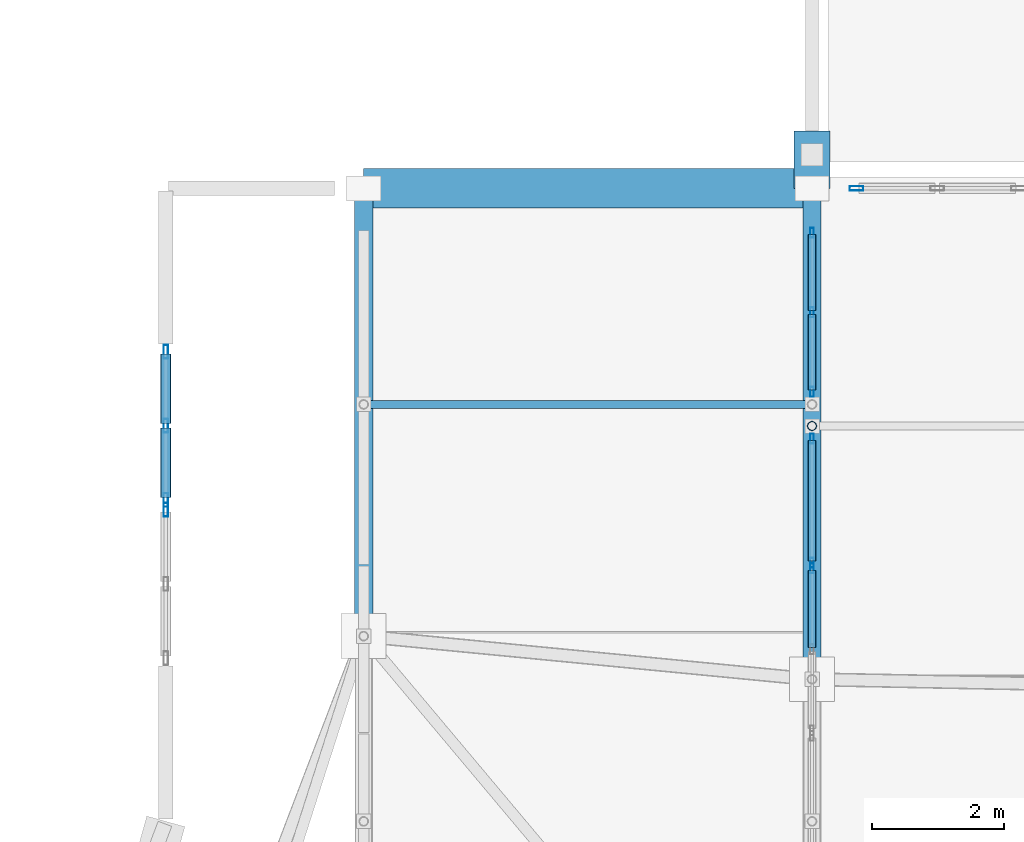
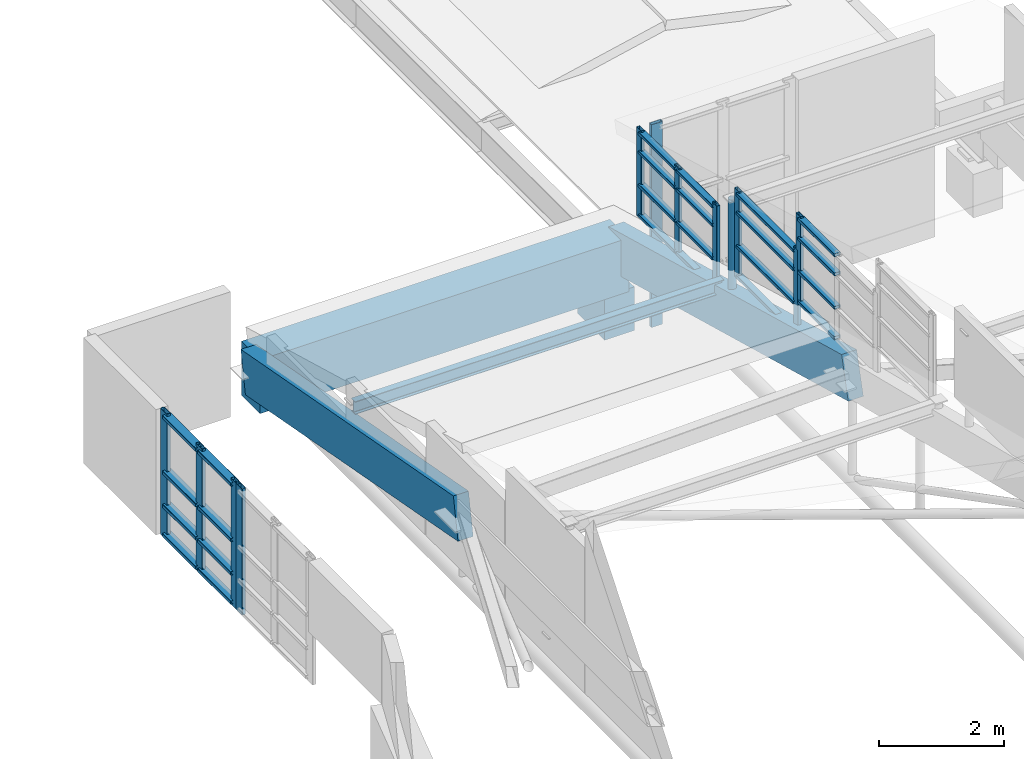
# One storey, part 58 of 188: 39 members, 2 beams, 6 elements without a shape of their own.
"""IFC4 building model written with IfcOpenShell, lengths in metres."""

from ifc_helpers import new_model, si_unit, direction, frame, origin, origin_2d, place, context, subcontext, project, spatial, rectangle, hollow_rectangle, hollow_circle, i_section, extrude, material, layer, layer_set, material_profile, profile_set, type_object, element, aggregate, save


model = new_model("IFC4")

# Units and contexts
model_context = context("Model", 3, precision=1e-05, world=origin(), true_north=direction((0.0, 1.0)))
body_context = subcontext(model_context, "Body", "Model", "MODEL_VIEW")
ifc_project = project(units=[si_unit("LENGTHUNIT", "METRE"), si_unit("AREAUNIT", "SQUARE_METRE"), si_unit("VOLUMEUNIT", "CUBIC_METRE"), si_unit("PLANEANGLEUNIT", "RADIAN"), si_unit("MASSUNIT", "GRAM", prefix="KILO")], contexts=[model_context])

# Site, building, storey
site_placement = place(None, origin())
site = spatial("IfcSite", under=ifc_project, at=site_placement, CompositionType="ELEMENT")
building_placement = place(site_placement, origin())
building = spatial("IfcBuilding", under=site, at=building_placement, Name="Kisaragi Civic Commons", CompositionType="ELEMENT")
storey_placement = place(building_placement, frame((0.0, 0.0, 9.60009765625)))
storey = spatial("IfcBuildingStorey", under=building, at=storey_placement, Name="L02", CompositionType="ELEMENT", Elevation=9.60009765625)

# Beam
ifc_material_1 = material(Name="Concrete Fc36", Category="concrete")
ifc_material_profile_1 = material_profile(ifc_material_1, rectangle(XDim=0.550048828125, YDim=0.85009765625, at=origin_2d()), Name="RC-550x850", Category="concrete")
ifc_profile_set_1 = profile_set([ifc_material_profile_1], Name="Concrete Fc36")
beam_type_1 = type_object("IfcBeamType", Name="CB-01", PredefinedType="BEAM", material=ifc_profile_set_1)
beam_1_placement = place(storey_placement, frame((13.60009765625, 62.39990234375, -1.97998046875), z_axis=(0.0, 1.0, 0.0), x_axis=(-1.0, 0.0, 0.0)))
element("IfcBeam", 1, at=beam_1_placement, inside=storey, type_object=beam_type_1, Name="BR-V2-V1 L02 seismic corbel 80", PredefinedType="BEAM", context=body_context, shape_type="SweptSolid", body=[
    extrude(rectangle(XDim=0.550048828125, YDim=0.85009765625, at=origin_2d()), origin(), (0.0, 0.0, 1.0), 0.8701171875),
])

# Curtain wall, member
ifc_material_2 = material(Name="Thermally broken anodized aluminium and low-E double glazing", Category="aluminium")
ifc_layer_1 = layer(ifc_material_2, 0.14990234375, Name="Thermally broken anodized aluminium and low-E double glazing", Category="aluminium")
ifc_layer_set_1 = layer_set([ifc_layer_1], Name="Thermally broken anodized aluminium and low-E double glazing")
curtain_wall_type_1 = type_object("IfcCurtainWallType", Name="CW-03", PredefinedType="NOTDEFINED", material=ifc_layer_set_1)
curtain_wall_1_placement = place(storey_placement, origin())
curtain_wall_1 = element("IfcCurtainWall", 2, at=curtain_wall_1_placement, inside=storey, type_object=curtain_wall_type_1, Name="L02 curtain wall CW-03 CW-CL-V1-150", PredefinedType="NOTDEFINED")
ifc_material_profile_2 = material_profile(ifc_material_2, hollow_rectangle(XDim=0.06005859375, YDim=0.14990234375, WallThickness=0.00390625, InnerFilletRadius=0.00390625, OuterFilletRadius=0.008056640625, at=origin_2d()), Name="CWM-60x150x4", Category="aluminium")
ifc_profile_set_2 = profile_set([ifc_material_profile_2], Name="Thermally broken anodized aluminium and low-E double glazing")
member_type_1 = type_object("IfcMemberType", Name="CWM-01", PredefinedType="MULLION", material=ifc_profile_set_2)
member_1_placement = place(storey_placement, frame((13.60009765625, 56.638916015625, 1.718017578125), z_axis=(0.0, 0.0, 1.0), x_axis=(-1.0, 0.0, 0.0)))
member_1 = element("IfcMember", 3, at=member_1_placement, type_object=member_type_1, Name="CW-03 mullion 3", PredefinedType="MULLION", context=body_context, shape_type="SweptSolid", body=[
    extrude(hollow_rectangle(XDim=0.06005859375, YDim=0.14990234375, WallThickness=0.00390625, InnerFilletRadius=0.00390625, OuterFilletRadius=0.008056640625, at=origin_2d()), origin(), (0.0, 0.0, 1.0), 1.732421875),
])

# Curtain wall, members
curtain_wall_2_placement = place(storey_placement, origin())
curtain_wall_2 = element("IfcCurtainWall", 4, at=curtain_wall_2_placement, inside=storey, type_object=curtain_wall_type_1, Name="L02 curtain wall CW-03 CW-CL-V1-151", PredefinedType="NOTDEFINED")
member_2_placement = place(storey_placement, frame((13.60009765625, 56.722900390625, 1.01953125), z_axis=(0.0, 0.0, 1.0), x_axis=(-1.0, 0.0, 0.0)))
member_2 = element("IfcMember", 5, at=member_2_placement, type_object=member_type_1, Name="CW-03 mullion 1", PredefinedType="MULLION", context=body_context, shape_type="SweptSolid", body=[
    extrude(hollow_rectangle(XDim=0.06005859375, YDim=0.14990234375, WallThickness=0.00390625, InnerFilletRadius=0.00390625, OuterFilletRadius=0.008056640625, at=origin_2d()), origin(), (0.0, 0.0, 1.0), 1.725341796875),
])
member_3_placement = place(storey_placement, frame((13.60009765625, 58.606201171875, 1.01953125), z_axis=(0.0, 0.0, 1.0), x_axis=(-1.0, 0.0, 0.0)))
member_3 = element("IfcMember", 6, at=member_3_placement, type_object=member_type_1, Name="CW-03 mullion 2", PredefinedType="MULLION", context=body_context, shape_type="SweptSolid", body=[
    extrude(hollow_rectangle(XDim=0.06005859375, YDim=0.14990234375, WallThickness=0.00390625, InnerFilletRadius=0.00390625, OuterFilletRadius=0.008056640625, at=origin_2d()), origin(), (0.0, 0.0, 1.0), 1.725341796875),
])

curtain_wall_3_placement = place(storey_placement, origin())
curtain_wall_3 = element("IfcCurtainWall", 7, at=curtain_wall_3_placement, inside=storey, type_object=curtain_wall_type_1, Name="L02 curtain wall CW-03 CW-CL-V1-152", PredefinedType="NOTDEFINED")
member_4_placement = place(storey_placement, frame((13.60009765625, 59.3134765625, 0.313720703125), z_axis=(0.0, 0.0, 1.0), x_axis=(-1.0, 0.0, 0.0)))
member_4 = element("IfcMember", 8, at=member_4_placement, type_object=member_type_1, Name="CW-03 mullion 1", PredefinedType="MULLION", context=body_context, shape_type="SweptSolid", body=[
    extrude(hollow_rectangle(XDim=0.06005859375, YDim=0.14990234375, WallThickness=0.00390625, InnerFilletRadius=0.00390625, OuterFilletRadius=0.008056640625, at=origin_2d()), origin(), (0.0, 0.0, 1.0), 1.7255859375),
])
member_5_placement = place(storey_placement, frame((13.60009765625, 60.520751953125, 0.313720703125), z_axis=(0.0, 0.0, 1.0), x_axis=(-1.0, 0.0, 0.0)))
member_5 = element("IfcMember", 9, at=member_5_placement, type_object=member_type_1, Name="CW-03 mullion 2", PredefinedType="MULLION", context=body_context, shape_type="SweptSolid", body=[
    extrude(hollow_rectangle(XDim=0.06005859375, YDim=0.14990234375, WallThickness=0.00390625, InnerFilletRadius=0.00390625, OuterFilletRadius=0.008056640625, at=origin_2d()), origin(), (0.0, 0.0, 1.0), 1.7255859375),
])
member_6_placement = place(storey_placement, frame((13.60009765625, 61.72802734375, 0.313720703125), z_axis=(0.0, 0.0, 1.0), x_axis=(-1.0, 0.0, 0.0)))
member_6 = element("IfcMember", 10, at=member_6_placement, type_object=member_type_1, Name="CW-03 mullion 3", PredefinedType="MULLION", context=body_context, shape_type="SweptSolid", body=[
    extrude(hollow_rectangle(XDim=0.06005859375, YDim=0.14990234375, WallThickness=0.00390625, InnerFilletRadius=0.00390625, OuterFilletRadius=0.008056640625, at=origin_2d()), origin(), (0.0, 0.0, 1.0), 1.7255859375),
])

# Curtain wall, member
ifc_layer_2 = layer(ifc_material_2, 0.2099609375, Name="Thermally broken anodized aluminium and low-E double glazing", Category="aluminium")
ifc_layer_set_2 = layer_set([ifc_layer_2], Name="Thermally broken anodized aluminium and low-E double glazing")
curtain_wall_type_2 = type_object("IfcCurtainWallType", Name="CW-02", PredefinedType="NOTDEFINED", material=ifc_layer_set_2)
curtain_wall_4_placement = place(storey_placement, origin())
curtain_wall_4 = element("IfcCurtainWall", 11, at=curtain_wall_4_placement, inside=storey, type_object=curtain_wall_type_2, Name="L02 curtain wall CW-02 CW-GAB-V1-172", PredefinedType="NOTDEFINED")
ifc_material_profile_3 = material_profile(ifc_material_2, hollow_rectangle(XDim=0.070068359375, YDim=0.2099609375, WallThickness=0.0048828125, InnerFilletRadius=0.0048828125, OuterFilletRadius=0.010009765625, at=origin_2d()), Name="CWM-70x210x5", Category="aluminium")
ifc_profile_set_3 = profile_set([ifc_material_profile_3], Name="Thermally broken anodized aluminium and low-E double glazing")
member_type_2 = type_object("IfcMemberType", Name="CWM-03", PredefinedType="MULLION", material=ifc_profile_set_3)
member_7_placement = place(storey_placement, frame((3.800048828125, 57.52490234375, -1.399169921875), z_axis=(0.0, 0.0, 1.0), x_axis=(-1.0, 0.0, 0.0)))
member_7 = element("IfcMember", 12, at=member_7_placement, type_object=member_type_2, Name="CW-02 mullion 3", PredefinedType="MULLION", context=body_context, shape_type="SweptSolid", body=[
    extrude(hollow_rectangle(XDim=0.070068359375, YDim=0.2099609375, WallThickness=0.0048828125, InnerFilletRadius=0.0048828125, OuterFilletRadius=0.010009765625, at=origin_2d()), origin(), (0.0, 0.0, 1.0), 2.461181640625),
])
aggregate(curtain_wall_4, [member_7])

# Curtain wall, members
curtain_wall_5_placement = place(storey_placement, origin())
curtain_wall_5 = element("IfcCurtainWall", 13, at=curtain_wall_5_placement, inside=storey, type_object=curtain_wall_type_2, Name="L02 curtain wall CW-02 CW-GAB-V1-173", PredefinedType="NOTDEFINED")
member_8_placement = place(storey_placement, frame((3.800048828125, 57.675048828125, -1.399169921875), z_axis=(0.0, 0.0, 1.0), x_axis=(-1.0, 0.0, 0.0)))
member_8 = element("IfcMember", 14, at=member_8_placement, type_object=member_type_2, Name="CW-02 mullion 1", PredefinedType="MULLION", context=body_context, shape_type="SweptSolid", body=[
    extrude(hollow_rectangle(XDim=0.070068359375, YDim=0.2099609375, WallThickness=0.0048828125, InnerFilletRadius=0.0048828125, OuterFilletRadius=0.010009765625, at=origin_2d()), origin(), (0.0, 0.0, 1.0), 2.461181640625),
])
member_9_placement = place(storey_placement, frame((3.800048828125, 58.800048828125, -1.399169921875), z_axis=(0.0, 0.0, 1.0), x_axis=(-1.0, 0.0, 0.0)))
member_9 = element("IfcMember", 15, at=member_9_placement, type_object=member_type_2, Name="CW-02 mullion 2", PredefinedType="MULLION", context=body_context, shape_type="SweptSolid", body=[
    extrude(hollow_rectangle(XDim=0.070068359375, YDim=0.2099609375, WallThickness=0.0048828125, InnerFilletRadius=0.0048828125, OuterFilletRadius=0.010009765625, at=origin_2d()), origin(), (0.0, 0.0, 1.0), 2.461181640625),
])
member_10_placement = place(storey_placement, frame((3.800048828125, 59.925048828125, -1.399169921875), z_axis=(0.0, 0.0, 1.0), x_axis=(-1.0, 0.0, 0.0)))
member_10 = element("IfcMember", 16, at=member_10_placement, type_object=member_type_2, Name="CW-02 mullion 3", PredefinedType="MULLION", context=body_context, shape_type="SweptSolid", body=[
    extrude(hollow_rectangle(XDim=0.070068359375, YDim=0.2099609375, WallThickness=0.0048828125, InnerFilletRadius=0.0048828125, OuterFilletRadius=0.010009765625, at=origin_2d()), origin(), (0.0, 0.0, 1.0), 2.461181640625),
])

# Curtain wall, member
curtain_wall_6_placement = place(storey_placement, origin())
curtain_wall_6 = element("IfcCurtainWall", 17, at=curtain_wall_6_placement, inside=storey, type_object=curtain_wall_type_2, Name="L02 curtain wall CW-02 CW-GAB-V1-174", PredefinedType="NOTDEFINED")
member_11_placement = place(storey_placement, frame((14.27490234375, 62.39990234375, -2.43408203125), z_axis=(0.0, 0.0, 1.0), x_axis=(0.0, 1.0, 0.0)))
member_11 = element("IfcMember", 18, at=member_11_placement, type_object=member_type_2, Name="CW-02 mullion 1", PredefinedType="MULLION", context=body_context, shape_type="SweptSolid", body=[
    extrude(hollow_rectangle(XDim=0.070068359375, YDim=0.2099609375, WallThickness=0.0048828125, InnerFilletRadius=0.0048828125, OuterFilletRadius=0.010009765625, at=origin_2d()), origin(), (0.0, 0.0, 1.0), 3.95263671875),
])
aggregate(curtain_wall_6, [member_11])

# Member
ifc_material_profile_4 = material_profile(ifc_material_2, hollow_rectangle(XDim=0.1201171875, YDim=0.06005859375, WallThickness=0.00390625, InnerFilletRadius=0.00390625, OuterFilletRadius=0.008056640625, at=origin_2d()), Name="CWT-60x120x4", Category="aluminium")
ifc_profile_set_4 = profile_set([ifc_material_profile_4], Name="Thermally broken anodized aluminium and low-E double glazing")
member_type_3 = type_object("IfcMemberType", Name="CWT-01", PredefinedType="USERDEFINED", material=ifc_profile_set_4)
member_12_placement = place(storey_placement, frame((13.60009765625, 55.438720703125, 1.77783203125), z_axis=(0.0, 1.0, 0.0), x_axis=(-1.0, 0.0, 0.0)))
member_12 = element("IfcMember", 19, at=member_12_placement, type_object=member_type_3, Name="CW-03 transom 2.1", ObjectType="TRANSOM", PredefinedType="USERDEFINED", context=body_context, shape_type="SweptSolid", body=[
    extrude(hollow_rectangle(XDim=0.1201171875, YDim=0.06005859375, WallThickness=0.00390625, InnerFilletRadius=0.00390625, OuterFilletRadius=0.008056640625, at=origin_2d()), origin(), (0.0, 0.0, 1.0), 1.170166015625),
])

member_13_placement = place(storey_placement, frame((13.60009765625, 55.438720703125, 2.367919921875), z_axis=(0.0, 1.0, 0.0), x_axis=(-1.0, 0.0, 0.0)))
member_13 = element("IfcMember", 20, at=member_13_placement, type_object=member_type_3, Name="CW-03 transom 2.2", ObjectType="TRANSOM", PredefinedType="USERDEFINED", context=body_context, shape_type="SweptSolid", body=[
    extrude(hollow_rectangle(XDim=0.1201171875, YDim=0.06005859375, WallThickness=0.00390625, InnerFilletRadius=0.00390625, OuterFilletRadius=0.008056640625, at=origin_2d()), origin(), (0.0, 0.0, 1.0), 1.170166015625),
])

member_14_placement = place(storey_placement, frame((13.60009765625, 55.438720703125, 3.017822265625), z_axis=(0.0, 1.0, 0.0), x_axis=(-1.0, 0.0, 0.0)))
member_14 = element("IfcMember", 21, at=member_14_placement, type_object=member_type_3, Name="CW-03 transom 2.3", ObjectType="TRANSOM", PredefinedType="USERDEFINED", context=body_context, shape_type="SweptSolid", body=[
    extrude(hollow_rectangle(XDim=0.1201171875, YDim=0.06005859375, WallThickness=0.00390625, InnerFilletRadius=0.00390625, OuterFilletRadius=0.008056640625, at=origin_2d()), origin(), (0.0, 0.0, 1.0), 1.170166015625),
])

member_15_placement = place(storey_placement, frame((13.60009765625, 55.438720703125, 3.390380859375), z_axis=(0.0, 1.0, 0.0), x_axis=(-1.0, 0.0, 0.0)))
member_15 = element("IfcMember", 22, at=member_15_placement, type_object=member_type_3, Name="CW-03 transom 2.4", ObjectType="TRANSOM", PredefinedType="USERDEFINED", context=body_context, shape_type="SweptSolid", body=[
    extrude(hollow_rectangle(XDim=0.1201171875, YDim=0.06005859375, WallThickness=0.00390625, InnerFilletRadius=0.00390625, OuterFilletRadius=0.008056640625, at=origin_2d()), origin(), (0.0, 0.0, 1.0), 1.170166015625),
])

aggregate(curtain_wall_1, [member_1, member_12, member_13, member_14, member_15])

member_16_placement = place(storey_placement, frame((13.60009765625, 56.7529296875, 1.07958984375), z_axis=(0.0, 1.0, 0.0), x_axis=(-1.0, 0.0, 0.0)))
member_16 = element("IfcMember", 23, at=member_16_placement, type_object=member_type_3, Name="CW-03 transom 1.1", ObjectType="TRANSOM", PredefinedType="USERDEFINED", context=body_context, shape_type="SweptSolid", body=[
    extrude(hollow_rectangle(XDim=0.1201171875, YDim=0.06005859375, WallThickness=0.00390625, InnerFilletRadius=0.00390625, OuterFilletRadius=0.008056640625, at=origin_2d()), origin(), (0.0, 0.0, 1.0), 1.823486328125),
])

member_17_placement = place(storey_placement, frame((13.60009765625, 56.7529296875, 1.66943359375), z_axis=(0.0, 1.0, 0.0), x_axis=(-1.0, 0.0, 0.0)))
member_17 = element("IfcMember", 24, at=member_17_placement, type_object=member_type_3, Name="CW-03 transom 1.2", ObjectType="TRANSOM", PredefinedType="USERDEFINED", context=body_context, shape_type="SweptSolid", body=[
    extrude(hollow_rectangle(XDim=0.1201171875, YDim=0.06005859375, WallThickness=0.00390625, InnerFilletRadius=0.00390625, OuterFilletRadius=0.008056640625, at=origin_2d()), origin(), (0.0, 0.0, 1.0), 1.823486328125),
])

member_18_placement = place(storey_placement, frame((13.60009765625, 56.7529296875, 2.319580078125), z_axis=(0.0, 1.0, 0.0), x_axis=(-1.0, 0.0, 0.0)))
member_18 = element("IfcMember", 25, at=member_18_placement, type_object=member_type_3, Name="CW-03 transom 1.3", ObjectType="TRANSOM", PredefinedType="USERDEFINED", context=body_context, shape_type="SweptSolid", body=[
    extrude(hollow_rectangle(XDim=0.1201171875, YDim=0.06005859375, WallThickness=0.00390625, InnerFilletRadius=0.00390625, OuterFilletRadius=0.008056640625, at=origin_2d()), origin(), (0.0, 0.0, 1.0), 1.823486328125),
])

member_19_placement = place(storey_placement, frame((13.60009765625, 56.7529296875, 2.684814453125), z_axis=(0.0, 1.0, 0.0), x_axis=(-1.0, 0.0, 0.0)))
member_19 = element("IfcMember", 26, at=member_19_placement, type_object=member_type_3, Name="CW-03 transom 1.4", ObjectType="TRANSOM", PredefinedType="USERDEFINED", context=body_context, shape_type="SweptSolid", body=[
    extrude(hollow_rectangle(XDim=0.1201171875, YDim=0.06005859375, WallThickness=0.00390625, InnerFilletRadius=0.00390625, OuterFilletRadius=0.008056640625, at=origin_2d()), origin(), (0.0, 0.0, 1.0), 1.823486328125),
])

aggregate(curtain_wall_2, [member_2, member_3, member_16, member_17, member_18, member_19])

member_20_placement = place(storey_placement, frame((13.60009765625, 59.343505859375, 0.373779296875), z_axis=(0.0, 1.0, 0.0), x_axis=(-1.0, 0.0, 0.0)))
member_20 = element("IfcMember", 27, at=member_20_placement, type_object=member_type_3, Name="CW-03 transom 1.1", ObjectType="TRANSOM", PredefinedType="USERDEFINED", context=body_context, shape_type="SweptSolid", body=[
    extrude(hollow_rectangle(XDim=0.1201171875, YDim=0.06005859375, WallThickness=0.00390625, InnerFilletRadius=0.00390625, OuterFilletRadius=0.008056640625, at=origin_2d()), origin(), (0.0, 0.0, 1.0), 1.147216796875),
])

member_21_placement = place(storey_placement, frame((13.60009765625, 59.343505859375, 0.9638671875), z_axis=(0.0, 1.0, 0.0), x_axis=(-1.0, 0.0, 0.0)))
member_21 = element("IfcMember", 28, at=member_21_placement, type_object=member_type_3, Name="CW-03 transom 1.2", ObjectType="TRANSOM", PredefinedType="USERDEFINED", context=body_context, shape_type="SweptSolid", body=[
    extrude(hollow_rectangle(XDim=0.1201171875, YDim=0.06005859375, WallThickness=0.00390625, InnerFilletRadius=0.00390625, OuterFilletRadius=0.008056640625, at=origin_2d()), origin(), (0.0, 0.0, 1.0), 1.147216796875),
])

member_22_placement = place(storey_placement, frame((13.60009765625, 59.343505859375, 1.61376953125), z_axis=(0.0, 1.0, 0.0), x_axis=(-1.0, 0.0, 0.0)))
member_22 = element("IfcMember", 29, at=member_22_placement, type_object=member_type_3, Name="CW-03 transom 1.3", ObjectType="TRANSOM", PredefinedType="USERDEFINED", context=body_context, shape_type="SweptSolid", body=[
    extrude(hollow_rectangle(XDim=0.1201171875, YDim=0.06005859375, WallThickness=0.00390625, InnerFilletRadius=0.00390625, OuterFilletRadius=0.008056640625, at=origin_2d()), origin(), (0.0, 0.0, 1.0), 1.147216796875),
])

member_23_placement = place(storey_placement, frame((13.60009765625, 59.343505859375, 1.979248046875), z_axis=(0.0, 1.0, 0.0), x_axis=(-1.0, 0.0, 0.0)))
member_23 = element("IfcMember", 30, at=member_23_placement, type_object=member_type_3, Name="CW-03 transom 1.4", ObjectType="TRANSOM", PredefinedType="USERDEFINED", context=body_context, shape_type="SweptSolid", body=[
    extrude(hollow_rectangle(XDim=0.1201171875, YDim=0.06005859375, WallThickness=0.00390625, InnerFilletRadius=0.00390625, OuterFilletRadius=0.008056640625, at=origin_2d()), origin(), (0.0, 0.0, 1.0), 1.147216796875),
])

member_24_placement = place(storey_placement, frame((13.60009765625, 60.55078125, 0.373779296875), z_axis=(0.0, 1.0, 0.0), x_axis=(-1.0, 0.0, 0.0)))
member_24 = element("IfcMember", 31, at=member_24_placement, type_object=member_type_3, Name="CW-03 transom 2.1", ObjectType="TRANSOM", PredefinedType="USERDEFINED", context=body_context, shape_type="SweptSolid", body=[
    extrude(hollow_rectangle(XDim=0.1201171875, YDim=0.06005859375, WallThickness=0.00390625, InnerFilletRadius=0.00390625, OuterFilletRadius=0.008056640625, at=origin_2d()), origin(), (0.0, 0.0, 1.0), 1.147216796875),
])

member_25_placement = place(storey_placement, frame((13.60009765625, 60.55078125, 0.9638671875), z_axis=(0.0, 1.0, 0.0), x_axis=(-1.0, 0.0, 0.0)))
member_25 = element("IfcMember", 32, at=member_25_placement, type_object=member_type_3, Name="CW-03 transom 2.2", ObjectType="TRANSOM", PredefinedType="USERDEFINED", context=body_context, shape_type="SweptSolid", body=[
    extrude(hollow_rectangle(XDim=0.1201171875, YDim=0.06005859375, WallThickness=0.00390625, InnerFilletRadius=0.00390625, OuterFilletRadius=0.008056640625, at=origin_2d()), origin(), (0.0, 0.0, 1.0), 1.147216796875),
])

member_26_placement = place(storey_placement, frame((13.60009765625, 60.55078125, 1.61376953125), z_axis=(0.0, 1.0, 0.0), x_axis=(-1.0, 0.0, 0.0)))
member_26 = element("IfcMember", 33, at=member_26_placement, type_object=member_type_3, Name="CW-03 transom 2.3", ObjectType="TRANSOM", PredefinedType="USERDEFINED", context=body_context, shape_type="SweptSolid", body=[
    extrude(hollow_rectangle(XDim=0.1201171875, YDim=0.06005859375, WallThickness=0.00390625, InnerFilletRadius=0.00390625, OuterFilletRadius=0.008056640625, at=origin_2d()), origin(), (0.0, 0.0, 1.0), 1.147216796875),
])

member_27_placement = place(storey_placement, frame((13.60009765625, 60.55078125, 1.979248046875), z_axis=(0.0, 1.0, 0.0), x_axis=(-1.0, 0.0, 0.0)))
member_27 = element("IfcMember", 34, at=member_27_placement, type_object=member_type_3, Name="CW-03 transom 2.4", ObjectType="TRANSOM", PredefinedType="USERDEFINED", context=body_context, shape_type="SweptSolid", body=[
    extrude(hollow_rectangle(XDim=0.1201171875, YDim=0.06005859375, WallThickness=0.00390625, InnerFilletRadius=0.00390625, OuterFilletRadius=0.008056640625, at=origin_2d()), origin(), (0.0, 0.0, 1.0), 1.147216796875),
])

aggregate(curtain_wall_3, [member_4, member_5, member_6, member_20, member_21, member_22, member_23, member_24, member_25, member_26, member_27])

ifc_material_profile_5 = material_profile(ifc_material_2, hollow_rectangle(XDim=0.159912109375, YDim=0.070068359375, WallThickness=0.0048828125, InnerFilletRadius=0.0048828125, OuterFilletRadius=0.010009765625, at=origin_2d()), Name="CWT-70x160x5", Category="aluminium")
ifc_profile_set_5 = profile_set([ifc_material_profile_5], Name="Thermally broken anodized aluminium and low-E double glazing")
member_type_4 = type_object("IfcMemberType", Name="CWT-03", PredefinedType="USERDEFINED", material=ifc_profile_set_5)
member_28_placement = place(storey_placement, frame((3.800048828125, 57.7099609375, -1.319091796875), z_axis=(0.0, 1.0, 0.0), x_axis=(-1.0, 0.0, 0.0)))
member_28 = element("IfcMember", 35, at=member_28_placement, type_object=member_type_4, Name="CW-02 transom 1.1", ObjectType="TRANSOM", PredefinedType="USERDEFINED", context=body_context, shape_type="SweptSolid", body=[
    extrude(hollow_rectangle(XDim=0.159912109375, YDim=0.070068359375, WallThickness=0.0048828125, InnerFilletRadius=0.0048828125, OuterFilletRadius=0.010009765625, at=origin_2d()), origin(), (0.0, 0.0, 1.0), 1.054931640625),
])

member_29_placement = place(storey_placement, frame((3.800048828125, 57.7099609375, -0.7490234375), z_axis=(0.0, 1.0, 0.0), x_axis=(-1.0, 0.0, 0.0)))
member_29 = element("IfcMember", 36, at=member_29_placement, type_object=member_type_4, Name="CW-02 transom 1.2", ObjectType="TRANSOM", PredefinedType="USERDEFINED", context=body_context, shape_type="SweptSolid", body=[
    extrude(hollow_rectangle(XDim=0.159912109375, YDim=0.070068359375, WallThickness=0.0048828125, InnerFilletRadius=0.0048828125, OuterFilletRadius=0.010009765625, at=origin_2d()), origin(), (0.0, 0.0, 1.0), 1.054931640625),
])

member_30_placement = place(storey_placement, frame((3.800048828125, 57.7099609375, -0.09912109375), z_axis=(0.0, 1.0, 0.0), x_axis=(-1.0, 0.0, 0.0)))
member_30 = element("IfcMember", 37, at=member_30_placement, type_object=member_type_4, Name="CW-02 transom 1.3", ObjectType="TRANSOM", PredefinedType="USERDEFINED", context=body_context, shape_type="SweptSolid", body=[
    extrude(hollow_rectangle(XDim=0.159912109375, YDim=0.070068359375, WallThickness=0.0048828125, InnerFilletRadius=0.0048828125, OuterFilletRadius=0.010009765625, at=origin_2d()), origin(), (0.0, 0.0, 1.0), 1.054931640625),
])

member_31_placement = place(storey_placement, frame((3.800048828125, 57.7099609375, 0.98193359375), z_axis=(0.0, 1.0, 0.0), x_axis=(-1.0, 0.0, 0.0)))
member_31 = element("IfcMember", 38, at=member_31_placement, type_object=member_type_4, Name="CW-02 transom 1.4", ObjectType="TRANSOM", PredefinedType="USERDEFINED", context=body_context, shape_type="SweptSolid", body=[
    extrude(hollow_rectangle(XDim=0.159912109375, YDim=0.070068359375, WallThickness=0.0048828125, InnerFilletRadius=0.0048828125, OuterFilletRadius=0.010009765625, at=origin_2d()), origin(), (0.0, 0.0, 1.0), 1.054931640625),
])

member_32_placement = place(storey_placement, frame((3.800048828125, 58.8349609375, -1.319091796875), z_axis=(0.0, 1.0, 0.0), x_axis=(-1.0, 0.0, 0.0)))
member_32 = element("IfcMember", 39, at=member_32_placement, type_object=member_type_4, Name="CW-02 transom 2.1", ObjectType="TRANSOM", PredefinedType="USERDEFINED", context=body_context, shape_type="SweptSolid", body=[
    extrude(hollow_rectangle(XDim=0.159912109375, YDim=0.070068359375, WallThickness=0.0048828125, InnerFilletRadius=0.0048828125, OuterFilletRadius=0.010009765625, at=origin_2d()), origin(), (0.0, 0.0, 1.0), 1.054931640625),
])

member_33_placement = place(storey_placement, frame((3.800048828125, 58.8349609375, -0.7490234375), z_axis=(0.0, 1.0, 0.0), x_axis=(-1.0, 0.0, 0.0)))
member_33 = element("IfcMember", 40, at=member_33_placement, type_object=member_type_4, Name="CW-02 transom 2.2", ObjectType="TRANSOM", PredefinedType="USERDEFINED", context=body_context, shape_type="SweptSolid", body=[
    extrude(hollow_rectangle(XDim=0.159912109375, YDim=0.070068359375, WallThickness=0.0048828125, InnerFilletRadius=0.0048828125, OuterFilletRadius=0.010009765625, at=origin_2d()), origin(), (0.0, 0.0, 1.0), 1.054931640625),
])

member_34_placement = place(storey_placement, frame((3.800048828125, 58.8349609375, -0.09912109375), z_axis=(0.0, 1.0, 0.0), x_axis=(-1.0, 0.0, 0.0)))
member_34 = element("IfcMember", 41, at=member_34_placement, type_object=member_type_4, Name="CW-02 transom 2.3", ObjectType="TRANSOM", PredefinedType="USERDEFINED", context=body_context, shape_type="SweptSolid", body=[
    extrude(hollow_rectangle(XDim=0.159912109375, YDim=0.070068359375, WallThickness=0.0048828125, InnerFilletRadius=0.0048828125, OuterFilletRadius=0.010009765625, at=origin_2d()), origin(), (0.0, 0.0, 1.0), 1.054931640625),
])

member_35_placement = place(storey_placement, frame((3.800048828125, 58.8349609375, 0.98193359375), z_axis=(0.0, 1.0, 0.0), x_axis=(-1.0, 0.0, 0.0)))
member_35 = element("IfcMember", 42, at=member_35_placement, type_object=member_type_4, Name="CW-02 transom 2.4", ObjectType="TRANSOM", PredefinedType="USERDEFINED", context=body_context, shape_type="SweptSolid", body=[
    extrude(hollow_rectangle(XDim=0.159912109375, YDim=0.070068359375, WallThickness=0.0048828125, InnerFilletRadius=0.0048828125, OuterFilletRadius=0.010009765625, at=origin_2d()), origin(), (0.0, 0.0, 1.0), 1.054931640625),
])

aggregate(curtain_wall_5, [member_8, member_9, member_10, member_28, member_29, member_30, member_31, member_32, member_33, member_34, member_35])

# Beam
ifc_material_profile_6 = material_profile(ifc_material_1, rectangle(XDim=0.60009765625, YDim=1.050048828125, at=origin_2d()), Name="RC-600x1050", Category="concrete")
ifc_profile_set_6 = profile_set([ifc_material_profile_6], Name="Concrete Fc36")
beam_type_2 = type_object("IfcBeamType", Name="G-06", PredefinedType="BEAM", material=ifc_profile_set_6)
beam_2_placement = place(storey_placement, frame((6.800048828125, 62.39990234375, -0.84521484375), z_axis=(1.0, 0.0, 0.0), x_axis=(0.0, 1.0, 0.0)))
element("IfcBeam", 43, at=beam_2_placement, inside=storey, type_object=beam_type_2, Name="L02 girder G-06 246", PredefinedType="BEAM", context=body_context, shape_type="SweptSolid", body=[
    extrude(rectangle(XDim=0.60009765625, YDim=1.050048828125, at=origin_2d()), origin(), (0.0, 0.0, 1.0), 6.800048828125),
])

# Members
ifc_material_3 = material(Name="Glulam E120-F330", Category="wood")
ifc_material_profile_7 = material_profile(ifc_material_3, rectangle(XDim=0.280029296875, YDim=0.81005859375, at=origin_2d()), Name="GL-280x810", Category="wood")
ifc_profile_set_7 = profile_set([ifc_material_profile_7], Name="Glulam E120-F330")
member_type_5 = type_object("IfcMemberType", Name="GR-01", PredefinedType="RAFTER", material=ifc_profile_set_7)
member_36_placement = place(storey_placement, frame((6.800048828125, 55.609619140625, 0.5673828125), z_axis=(0.0, 0.983253861436, -0.182241169802), x_axis=(-1.0, 0.0, 0.0)))
element("IfcMember", 44, at=member_36_placement, inside=storey, type_object=member_type_5, Name="V1 glulam arch rib GR-01 16", PredefinedType="RAFTER", context=body_context, shape_type="SweptSolid", body=[
    extrude(rectangle(XDim=0.280029296875, YDim=0.81005859375, at=origin_2d()), origin(), (0.0, 0.0, 1.0), 6.906005859375),
])
member_37_placement = place(storey_placement, frame((13.60009765625, 54.955078125, 1.32861328125), z_axis=(0.0, 0.965112814592, -0.261834403985), x_axis=(-1.0, 0.0, 0.0)))
element("IfcMember", 45, at=member_37_placement, inside=storey, type_object=member_type_5, Name="V1 glulam arch rib GR-01 24", PredefinedType="RAFTER", context=body_context, shape_type="SweptSolid", body=[
    extrude(rectangle(XDim=0.280029296875, YDim=0.81005859375, at=origin_2d()), origin(), (0.0, 0.0, 1.0), 7.7138671875),
])
ifc_material_4 = material(Name="Steel SN400 (SN400B)", Category="steel")
ifc_material_profile_8 = material_profile(ifc_material_4, i_section(OverallWidth=0.125, OverallDepth=0.25, WebThickness=0.006103515625, FlangeThickness=0.009033203125, FilletRadius=0.008056640625, at=origin_2d()), Name="H-250x125x6x9", Category="steel")
ifc_profile_set_8 = profile_set([ifc_material_profile_8], Name="Steel SN400 (SN400B)")
member_type_6 = type_object("IfcMemberType", Name="PR-01", PredefinedType="PURLIN", material=ifc_profile_set_8)
member_38_placement = place(storey_placement, frame((6.800048828125, 59.12353515625, 0.580078125), z_axis=(1.0, 0.0, 0.0), x_axis=(0.0, 1.0, 0.0)))
element("IfcMember", 46, at=member_38_placement, inside=storey, type_object=member_type_6, Name="V1 wave vault steel purlin 16", PredefinedType="PURLIN", context=body_context, shape_type="SweptSolid", body=[
    extrude(i_section(OverallWidth=0.125, OverallDepth=0.25, WebThickness=0.006103515625, FlangeThickness=0.009033203125, FilletRadius=0.008056640625, at=origin_2d()), origin(), (0.0, 0.0, 1.0), 6.800048828125),
])
ifc_material_5 = material(Name="Steel SN490 (SN490B)", Category="steel")
ifc_material_profile_9 = material_profile(ifc_material_5, hollow_circle(Radius=0.06982421875, WallThickness=0.006103515625, at=origin_2d()), Name="CHS-139.8x6.0", Category="steel")
ifc_profile_set_9 = profile_set([ifc_material_profile_9], Name="Steel SN490 (SN490B)")
member_type_7 = type_object("IfcMemberType", Name="ST-H1", PredefinedType="STRUT", material=ifc_profile_set_9)
member_39_placement = place(storey_placement, frame((13.60009765625, 58.79638671875, 0.28662109375), z_axis=(0.0, 0.0, 1.0), x_axis=(1.0, 0.0, 0.0)))
element("IfcMember", 47, at=member_39_placement, inside=storey, type_object=member_type_7, Name="V1 clerestory monitor horizontal tie strut 3.2.8", PredefinedType="STRUT", context=body_context, shape_type="SweptSolid", body=[
    extrude(hollow_circle(Radius=0.06982421875, WallThickness=0.006103515625, at=origin_2d()), origin(), (0.0, 0.0, 1.0), 2.174560546875),
])

save(model, "model.ifc")
